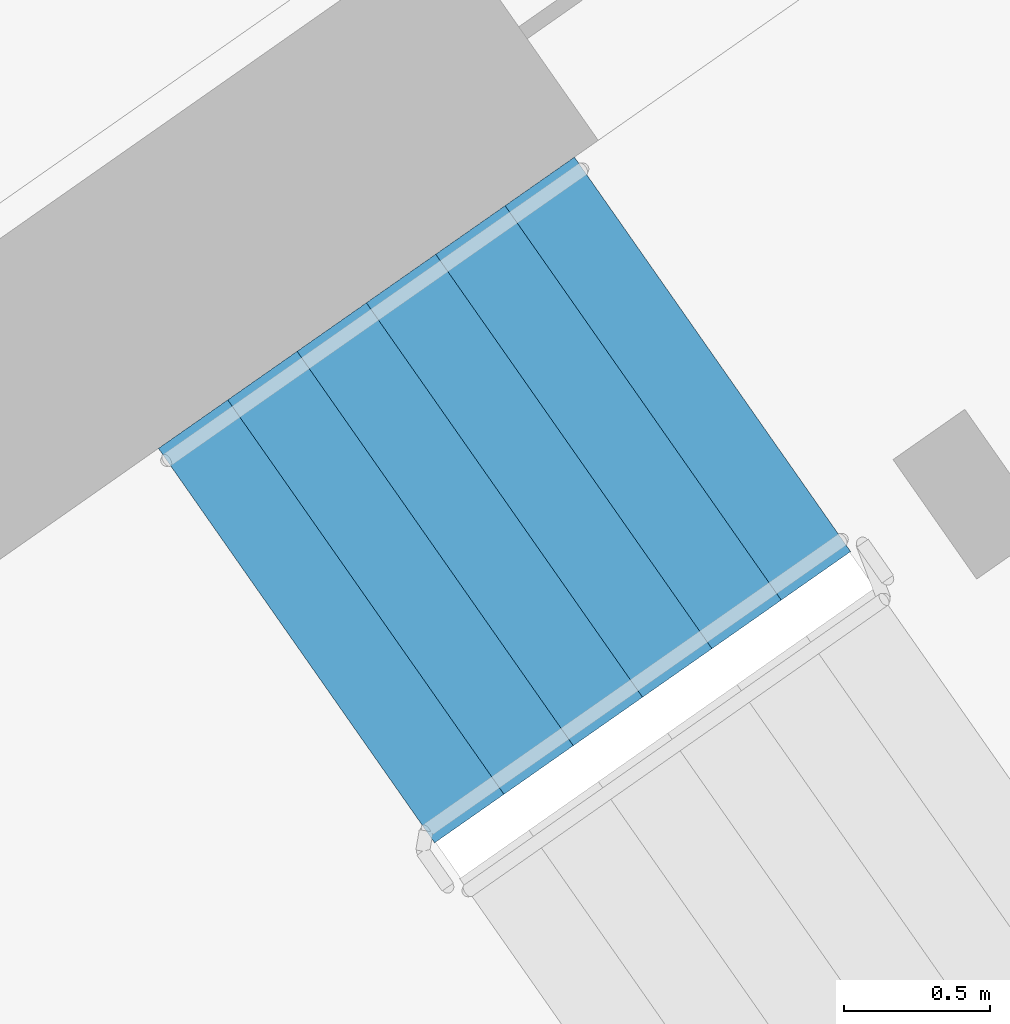
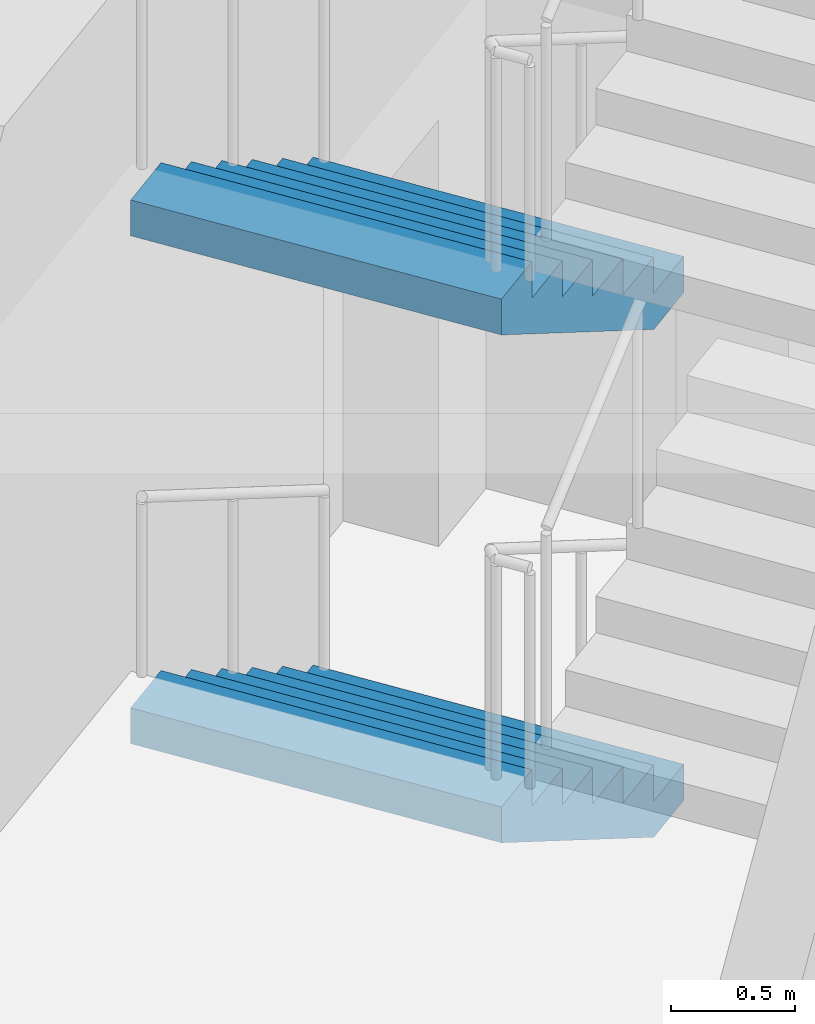
# One storey, part 22 of 25: 2 stair flights, 1 element without a shape of its own.
"""IFC4 building model written with IfcOpenShell, lengths in metres."""

from ifc_helpers import new_model, si_unit, direction, frame, origin, place, context, subcontext, project, spatial, faceted_brep, material, type_object, element, aggregate, save


model = new_model("IFC4")

# Units and contexts
model_context = context("Model", 3, precision=1e-05, world=origin(), true_north=direction((0.0, 1.0)))
body_context = subcontext(model_context, "Body", "Model", "MODEL_VIEW")
ifc_project = project(units=[si_unit("LENGTHUNIT", "METRE"), si_unit("AREAUNIT", "SQUARE_METRE"), si_unit("VOLUMEUNIT", "CUBIC_METRE"), si_unit("PLANEANGLEUNIT", "RADIAN"), si_unit("MASSUNIT", "GRAM", prefix="KILO")], contexts=[model_context])

# Site, building, storey
site_placement = place(None, origin())
site = spatial("IfcSite", under=ifc_project, at=site_placement, CompositionType="ELEMENT")
building_placement = place(site_placement, origin())
building = spatial("IfcBuilding", under=site, at=building_placement, Name="Qamariyya Broadcast Tower", CompositionType="ELEMENT")
storey_placement = place(building_placement, frame((0.0, 0.0, 144.300048828125)))
storey = spatial("IfcBuildingStorey", under=building, at=storey_placement, Name="L33", CompositionType="ELEMENT", Elevation=144.300048828125)

# Stair, stair flights
ifc_material = material(Name="Concrete C50/60", Category="concrete")
stair_type = type_object("IfcStairType", Name="Exit stair 28 risers of 179 mm", PredefinedType="HALF_TURN_STAIR", material=ifc_material)
stair_placement = place(storey_placement, origin())
stair = element("IfcStair", 1, at=stair_placement, inside=storey, type_object=stair_type, Name="L33 Stair E2", PredefinedType="HALF_TURN_STAIR")
stair_flight_type = type_object("IfcStairFlightType", Name="Exit stair flight 7 risers of 179 mm", PredefinedType="STRAIGHT", material=ifc_material)
stair_flight_1_placement = place(storey_placement, frame((40.558837890625, -47.685302734375, 0.0), z_axis=(0.0, 0.0, 1.0), x_axis=(-0.819152044289, -0.573576436351, 0.0)))
stair_flight_1 = element("IfcStairFlight", 2, at=stair_flight_1_placement, type_object=stair_flight_type, Name="ST-E2 flight 1", NumberOfRisers=7, NumberOfTreads=6, PredefinedType="STRAIGHT", RiserHeight=0.178571429, TreadLength=0.29, context=body_context, shape_type="Brep", body=[
    faceted_brep([(0.0, 0.824951171875, 0.0), (0.0, 0.824951171875, 0.178466796875), (0.2900390625, 0.824951171875, 0.178466796875), (0.2900390625, 0.824951171875, 0.357177734375), (0.580078125, 0.824951171875, 0.357177734375), (0.580078125, 0.824951171875, 0.53564453125), (0.8701171875, 0.824951171875, 0.53564453125), (0.8701171875, 0.824951171875, 0.71435546875), (1.159912109375, 0.824951171875, 0.71435546875), (1.159912109375, 0.824951171875, 0.892822265625), (1.449951171875, 0.824951171875, 0.892822265625), (1.449951171875, 0.824951171875, 1.071533203125), (1.739990234375, 0.824951171875, 1.071533203125), (1.739990234375, 0.824951171875, 0.8955078125), (0.285888671875, 0.824951171875, 0.0), (0.285888671875, -0.824951171875, 0.0), (1.739990234375, -0.824951171875, 0.8955078125), (1.739990234375, -0.824951171875, 1.071533203125), (1.449951171875, -0.824951171875, 1.071533203125), (1.449951171875, -0.824951171875, 0.892822265625), (1.159912109375, -0.824951171875, 0.892822265625), (1.159912109375, -0.824951171875, 0.71435546875), (0.8701171875, -0.824951171875, 0.71435546875), (0.8701171875, -0.824951171875, 0.53564453125), (0.580078125, -0.824951171875, 0.53564453125), (0.580078125, -0.824951171875, 0.357177734375), (0.2900390625, -0.824951171875, 0.357177734375), (0.2900390625, -0.824951171875, 0.178466796875), (0.0, -0.824951171875, 0.178466796875), (0.0, -0.824951171875, 0.0), (0.0, 0.10009765625, 0.0), (0.0, 0.086669921875, 0.0), (0.0, 0.0732421875, 0.0), (0.0, 0.06005859375, 0.0), (0.0, 0.046630859375, 0.0), (0.0, 0.033447265625, 0.0), (0.0, 0.02001953125, 0.0), (0.0, 0.006591796875, 0.0), (0.0, -0.006591796875, 0.0), (0.0, -0.02001953125, 0.0), (0.0, -0.033447265625, 0.0), (0.0, -0.046630859375, 0.0), (0.0, -0.06005859375, 0.0), (0.0, -0.0732421875, 0.0), (0.0, -0.086669921875, 0.0), (0.0, -0.10009765625, 0.0), (0.0, -0.10009765625, 0.178466796875), (0.0, -0.086669921875, 0.178466796875), (0.0, -0.0732421875, 0.178466796875), (0.0, -0.06005859375, 0.178466796875), (0.0, -0.046630859375, 0.178466796875), (0.0, -0.033447265625, 0.178466796875), (0.0, -0.02001953125, 0.178466796875), (0.0, -0.006591796875, 0.178466796875), (0.0, 0.006591796875, 0.178466796875), (0.0, 0.02001953125, 0.178466796875), (0.0, 0.033447265625, 0.178466796875), (0.0, 0.046630859375, 0.178466796875), (0.0, 0.06005859375, 0.178466796875), (0.0, 0.0732421875, 0.178466796875), (0.0, 0.086669921875, 0.178466796875), (0.0, 0.10009765625, 0.178466796875), (0.2900390625, -0.10009765625, 0.178466796875), (0.2900390625, -0.086669921875, 0.178466796875), (0.2900390625, -0.0732421875, 0.178466796875), (0.2900390625, -0.06005859375, 0.178466796875), (0.2900390625, -0.046630859375, 0.178466796875), (0.2900390625, -0.033447265625, 0.178466796875), (0.2900390625, -0.02001953125, 0.178466796875), (0.2900390625, -0.006591796875, 0.178466796875), (0.2900390625, 0.006591796875, 0.178466796875), (0.2900390625, 0.02001953125, 0.178466796875), (0.2900390625, 0.033447265625, 0.178466796875), (0.2900390625, 0.046630859375, 0.178466796875), (0.2900390625, 0.06005859375, 0.178466796875), (0.2900390625, 0.0732421875, 0.178466796875), (0.2900390625, 0.086669921875, 0.178466796875), (0.2900390625, 0.10009765625, 0.178466796875), (0.2900390625, -0.10009765625, 0.357177734375), (0.2900390625, -0.086669921875, 0.357177734375), (0.2900390625, -0.0732421875, 0.357177734375), (0.2900390625, -0.06005859375, 0.357177734375), (0.2900390625, -0.046630859375, 0.357177734375), (0.2900390625, -0.033447265625, 0.357177734375), (0.2900390625, -0.02001953125, 0.357177734375), (0.2900390625, -0.006591796875, 0.357177734375), (0.2900390625, 0.006591796875, 0.357177734375), (0.2900390625, 0.02001953125, 0.357177734375), (0.2900390625, 0.033447265625, 0.357177734375), (0.2900390625, 0.046630859375, 0.357177734375), (0.2900390625, 0.06005859375, 0.357177734375), (0.2900390625, 0.0732421875, 0.357177734375), (0.2900390625, 0.086669921875, 0.357177734375), (0.2900390625, 0.10009765625, 0.357177734375), (0.580078125, -0.10009765625, 0.357177734375), (0.580078125, -0.086669921875, 0.357177734375), (0.580078125, -0.0732421875, 0.357177734375), (0.580078125, -0.06005859375, 0.357177734375), (0.580078125, -0.046630859375, 0.357177734375), (0.580078125, -0.033447265625, 0.357177734375), (0.580078125, -0.02001953125, 0.357177734375), (0.580078125, -0.006591796875, 0.357177734375), (0.580078125, 0.006591796875, 0.357177734375), (0.580078125, 0.02001953125, 0.357177734375), (0.580078125, 0.033447265625, 0.357177734375), (0.580078125, 0.046630859375, 0.357177734375), (0.580078125, 0.06005859375, 0.357177734375), (0.580078125, 0.0732421875, 0.357177734375), (0.580078125, 0.086669921875, 0.357177734375), (0.580078125, 0.10009765625, 0.357177734375), (0.580078125, -0.10009765625, 0.53564453125), (0.580078125, -0.086669921875, 0.53564453125), (0.580078125, -0.0732421875, 0.53564453125), (0.580078125, -0.06005859375, 0.53564453125), (0.580078125, -0.046630859375, 0.53564453125), (0.580078125, -0.033447265625, 0.53564453125), (0.580078125, -0.02001953125, 0.53564453125), (0.580078125, -0.006591796875, 0.53564453125), (0.580078125, 0.006591796875, 0.53564453125), (0.580078125, 0.02001953125, 0.53564453125), (0.580078125, 0.033447265625, 0.53564453125), (0.580078125, 0.046630859375, 0.53564453125), (0.580078125, 0.06005859375, 0.53564453125), (0.580078125, 0.0732421875, 0.53564453125), (0.580078125, 0.086669921875, 0.53564453125), (0.580078125, 0.10009765625, 0.53564453125), (0.8701171875, -0.10009765625, 0.53564453125), (0.8701171875, -0.086669921875, 0.53564453125), (0.8701171875, -0.0732421875, 0.53564453125), (0.8701171875, -0.06005859375, 0.53564453125), (0.8701171875, -0.046630859375, 0.53564453125), (0.8701171875, -0.033447265625, 0.53564453125), (0.8701171875, -0.02001953125, 0.53564453125), (0.8701171875, -0.006591796875, 0.53564453125), (0.8701171875, 0.006591796875, 0.53564453125), (0.8701171875, 0.02001953125, 0.53564453125), (0.8701171875, 0.033447265625, 0.53564453125), (0.8701171875, 0.046630859375, 0.53564453125), (0.8701171875, 0.06005859375, 0.53564453125), (0.8701171875, 0.0732421875, 0.53564453125), (0.8701171875, 0.086669921875, 0.53564453125), (0.8701171875, 0.10009765625, 0.53564453125), (0.8701171875, -0.10009765625, 0.71435546875), (0.8701171875, -0.086669921875, 0.71435546875), (0.8701171875, -0.0732421875, 0.71435546875), (0.8701171875, -0.06005859375, 0.71435546875), (0.8701171875, -0.046630859375, 0.71435546875), (0.8701171875, -0.033447265625, 0.71435546875), (0.8701171875, -0.02001953125, 0.71435546875), (0.8701171875, -0.006591796875, 0.71435546875), (0.8701171875, 0.006591796875, 0.71435546875), (0.8701171875, 0.02001953125, 0.71435546875), (0.8701171875, 0.033447265625, 0.71435546875), (0.8701171875, 0.046630859375, 0.71435546875), (0.8701171875, 0.06005859375, 0.71435546875), (0.8701171875, 0.0732421875, 0.71435546875), (0.8701171875, 0.086669921875, 0.71435546875), (0.8701171875, 0.10009765625, 0.71435546875), (1.159912109375, -0.10009765625, 0.71435546875), (1.159912109375, -0.086669921875, 0.71435546875), (1.159912109375, -0.0732421875, 0.71435546875), (1.159912109375, -0.06005859375, 0.71435546875), (1.159912109375, -0.046630859375, 0.71435546875), (1.159912109375, -0.033447265625, 0.71435546875), (1.159912109375, -0.02001953125, 0.71435546875), (1.159912109375, -0.006591796875, 0.71435546875), (1.159912109375, 0.006591796875, 0.71435546875), (1.159912109375, 0.02001953125, 0.71435546875), (1.159912109375, 0.033447265625, 0.71435546875), (1.159912109375, 0.046630859375, 0.71435546875), (1.159912109375, 0.06005859375, 0.71435546875), (1.159912109375, 0.0732421875, 0.71435546875), (1.159912109375, 0.086669921875, 0.71435546875), (1.159912109375, 0.10009765625, 0.71435546875), (1.159912109375, -0.10009765625, 0.892822265625), (1.159912109375, -0.086669921875, 0.892822265625), (1.159912109375, -0.0732421875, 0.892822265625), (1.159912109375, -0.06005859375, 0.892822265625), (1.159912109375, -0.046630859375, 0.892822265625), (1.159912109375, -0.033447265625, 0.892822265625), (1.159912109375, -0.02001953125, 0.892822265625), (1.159912109375, -0.006591796875, 0.892822265625), (1.159912109375, 0.006591796875, 0.892822265625), (1.159912109375, 0.02001953125, 0.892822265625), (1.159912109375, 0.033447265625, 0.892822265625), (1.159912109375, 0.046630859375, 0.892822265625), (1.159912109375, 0.06005859375, 0.892822265625), (1.159912109375, 0.0732421875, 0.892822265625), (1.159912109375, 0.086669921875, 0.892822265625), (1.159912109375, 0.10009765625, 0.892822265625), (1.449951171875, -0.10009765625, 0.892822265625), (1.449951171875, -0.086669921875, 0.892822265625), (1.449951171875, -0.0732421875, 0.892822265625), (1.449951171875, -0.06005859375, 0.892822265625), (1.449951171875, -0.046630859375, 0.892822265625), (1.449951171875, -0.033447265625, 0.892822265625), (1.449951171875, -0.02001953125, 0.892822265625), (1.449951171875, -0.006591796875, 0.892822265625), (1.449951171875, 0.006591796875, 0.892822265625), (1.449951171875, 0.02001953125, 0.892822265625), (1.449951171875, 0.033447265625, 0.892822265625), (1.449951171875, 0.046630859375, 0.892822265625), (1.449951171875, 0.06005859375, 0.892822265625), (1.449951171875, 0.0732421875, 0.892822265625), (1.449951171875, 0.086669921875, 0.892822265625), (1.449951171875, 0.10009765625, 0.892822265625), (1.449951171875, -0.10009765625, 1.071533203125), (1.449951171875, -0.086669921875, 1.071533203125), (1.449951171875, -0.0732421875, 1.071533203125), (1.449951171875, -0.06005859375, 1.071533203125), (1.449951171875, -0.046630859375, 1.071533203125), (1.449951171875, -0.033447265625, 1.071533203125), (1.449951171875, -0.02001953125, 1.071533203125), (1.449951171875, -0.006591796875, 1.071533203125), (1.449951171875, 0.006591796875, 1.071533203125), (1.449951171875, 0.02001953125, 1.071533203125), (1.449951171875, 0.033447265625, 1.071533203125), (1.449951171875, 0.046630859375, 1.071533203125), (1.449951171875, 0.06005859375, 1.071533203125), (1.449951171875, 0.0732421875, 1.071533203125), (1.449951171875, 0.086669921875, 1.071533203125), (1.449951171875, 0.10009765625, 1.071533203125), (1.739990234375, -0.10009765625, 1.071533203125), (1.739990234375, -0.086669921875, 1.071533203125), (1.739990234375, -0.0732421875, 1.071533203125), (1.739990234375, -0.06005859375, 1.071533203125), (1.739990234375, -0.046630859375, 1.071533203125), (1.739990234375, -0.033447265625, 1.071533203125), (1.739990234375, -0.02001953125, 1.071533203125), (1.739990234375, -0.006591796875, 1.071533203125), (1.739990234375, 0.006591796875, 1.071533203125), (1.739990234375, 0.02001953125, 1.071533203125), (1.739990234375, 0.033447265625, 1.071533203125), (1.739990234375, 0.046630859375, 1.071533203125), (1.739990234375, 0.06005859375, 1.071533203125), (1.739990234375, 0.0732421875, 1.071533203125), (1.739990234375, 0.086669921875, 1.071533203125), (1.739990234375, 0.10009765625, 1.071533203125), (1.739990234375, -0.10009765625, 0.8955078125), (1.739990234375, -0.086669921875, 0.8955078125), (1.739990234375, -0.0732421875, 0.8955078125), (1.739990234375, -0.06005859375, 0.8955078125), (1.739990234375, -0.046630859375, 0.8955078125), (1.739990234375, -0.033447265625, 0.8955078125), (1.739990234375, -0.02001953125, 0.8955078125), (1.739990234375, -0.006591796875, 0.8955078125), (1.739990234375, 0.006591796875, 0.8955078125), (1.739990234375, 0.02001953125, 0.8955078125), (1.739990234375, 0.033447265625, 0.8955078125), (1.739990234375, 0.046630859375, 0.8955078125), (1.739990234375, 0.06005859375, 0.8955078125), (1.739990234375, 0.0732421875, 0.8955078125), (1.739990234375, 0.086669921875, 0.8955078125), (1.739990234375, 0.10009765625, 0.8955078125), (0.285888671875, -0.10009765625, 0.0), (0.285888671875, -0.086669921875, 0.0), (0.285888671875, -0.0732421875, 0.0), (0.285888671875, -0.06005859375, 0.0), (0.285888671875, -0.046630859375, 0.0), (0.285888671875, -0.033447265625, 0.0), (0.285888671875, -0.02001953125, 0.0), (0.285888671875, -0.006591796875, 0.0), (0.285888671875, 0.006591796875, 0.0), (0.285888671875, 0.02001953125, 0.0), (0.285888671875, 0.033447265625, 0.0), (0.285888671875, 0.046630859375, 0.0), (0.285888671875, 0.06005859375, 0.0), (0.285888671875, 0.0732421875, 0.0), (0.285888671875, 0.086669921875, 0.0), (0.285888671875, 0.10009765625, 0.0)], [[[0, 1, 2, 3, 4, 5, 6, 7, 8, 9, 10, 11, 12, 13, 14]], [[15, 16, 17, 18, 19, 20, 21, 22, 23, 24, 25, 26, 27, 28, 29]], [[0, 30, 31, 32, 33, 34, 35, 36, 37, 38, 39, 40, 41, 42, 43, 44, 45, 29, 28, 46, 47, 48, 49, 50, 51, 52, 53, 54, 55, 56, 57, 58, 59, 60, 61, 1]], [[1, 61, 60, 59, 58, 57, 56, 55, 54, 53, 52, 51, 50, 49, 48, 47, 46, 28, 27, 62, 63, 64, 65, 66, 67, 68, 69, 70, 71, 72, 73, 74, 75, 76, 77, 2]], [[2, 77, 76, 75, 74, 73, 72, 71, 70, 69, 68, 67, 66, 65, 64, 63, 62, 27, 26, 78, 79, 80, 81, 82, 83, 84, 85, 86, 87, 88, 89, 90, 91, 92, 93, 3]], [[3, 93, 92, 91, 90, 89, 88, 87, 86, 85, 84, 83, 82, 81, 80, 79, 78, 26, 25, 94, 95, 96, 97, 98, 99, 100, 101, 102, 103, 104, 105, 106, 107, 108, 109, 4]], [[4, 109, 108, 107, 106, 105, 104, 103, 102, 101, 100, 99, 98, 97, 96, 95, 94, 25, 24, 110, 111, 112, 113, 114, 115, 116, 117, 118, 119, 120, 121, 122, 123, 124, 125, 5]], [[5, 125, 124, 123, 122, 121, 120, 119, 118, 117, 116, 115, 114, 113, 112, 111, 110, 24, 23, 126, 127, 128, 129, 130, 131, 132, 133, 134, 135, 136, 137, 138, 139, 140, 141, 6]], [[6, 141, 140, 139, 138, 137, 136, 135, 134, 133, 132, 131, 130, 129, 128, 127, 126, 23, 22, 142, 143, 144, 145, 146, 147, 148, 149, 150, 151, 152, 153, 154, 155, 156, 157, 7]], [[7, 157, 156, 155, 154, 153, 152, 151, 150, 149, 148, 147, 146, 145, 144, 143, 142, 22, 21, 158, 159, 160, 161, 162, 163, 164, 165, 166, 167, 168, 169, 170, 171, 172, 173, 8]], [[8, 173, 172, 171, 170, 169, 168, 167, 166, 165, 164, 163, 162, 161, 160, 159, 158, 21, 20, 174, 175, 176, 177, 178, 179, 180, 181, 182, 183, 184, 185, 186, 187, 188, 189, 9]], [[9, 189, 188, 187, 186, 185, 184, 183, 182, 181, 180, 179, 178, 177, 176, 175, 174, 20, 19, 190, 191, 192, 193, 194, 195, 196, 197, 198, 199, 200, 201, 202, 203, 204, 205, 10]], [[10, 205, 204, 203, 202, 201, 200, 199, 198, 197, 196, 195, 194, 193, 192, 191, 190, 19, 18, 206, 207, 208, 209, 210, 211, 212, 213, 214, 215, 216, 217, 218, 219, 220, 221, 11]], [[11, 221, 220, 219, 218, 217, 216, 215, 214, 213, 212, 211, 210, 209, 208, 207, 206, 18, 17, 222, 223, 224, 225, 226, 227, 228, 229, 230, 231, 232, 233, 234, 235, 236, 237, 12]], [[12, 237, 236, 235, 234, 233, 232, 231, 230, 229, 228, 227, 226, 225, 224, 223, 222, 17, 16, 238, 239, 240, 241, 242, 243, 244, 245, 246, 247, 248, 249, 250, 251, 252, 253, 13]], [[13, 253, 252, 251, 250, 249, 248, 247, 246, 245, 244, 243, 242, 241, 240, 239, 238, 16, 15, 254, 255, 256, 257, 258, 259, 260, 261, 262, 263, 264, 265, 266, 267, 268, 269, 14]], [[14, 269, 268, 267, 266, 265, 264, 263, 262, 261, 260, 259, 258, 257, 256, 255, 254, 15, 29, 45, 44, 43, 42, 41, 40, 39, 38, 37, 36, 35, 34, 33, 32, 31, 30, 0]]]),
])
stair_flight_2_placement = place(storey_placement, frame((40.558837890625, -47.685302734375, 2.5), z_axis=(0.0, 0.0, 1.0), x_axis=(-0.819152044289, -0.573576436351, 0.0)))
stair_flight_2 = element("IfcStairFlight", 3, at=stair_flight_2_placement, type_object=stair_flight_type, Name="ST-E2 flight 3", NumberOfRisers=7, NumberOfTreads=6, PredefinedType="STRAIGHT", RiserHeight=0.178571429, TreadLength=0.29, context=body_context, shape_type="Brep", body=[
    faceted_brep([(0.0, 0.824951171875, 0.0), (0.0, 0.824951171875, 0.178466796875), (0.2900390625, 0.824951171875, 0.178466796875), (0.2900390625, 0.824951171875, 0.357177734375), (0.580078125, 0.824951171875, 0.357177734375), (0.580078125, 0.824951171875, 0.53564453125), (0.8701171875, 0.824951171875, 0.53564453125), (0.8701171875, 0.824951171875, 0.71435546875), (1.159912109375, 0.824951171875, 0.71435546875), (1.159912109375, 0.824951171875, 0.892822265625), (1.449951171875, 0.824951171875, 0.892822265625), (1.449951171875, 0.824951171875, 1.071533203125), (1.739990234375, 0.824951171875, 1.071533203125), (1.739990234375, 0.824951171875, 0.8955078125), (0.285888671875, 0.824951171875, 0.0), (0.285888671875, -0.824951171875, 0.0), (1.739990234375, -0.824951171875, 0.8955078125), (1.739990234375, -0.824951171875, 1.071533203125), (1.449951171875, -0.824951171875, 1.071533203125), (1.449951171875, -0.824951171875, 0.892822265625), (1.159912109375, -0.824951171875, 0.892822265625), (1.159912109375, -0.824951171875, 0.71435546875), (0.8701171875, -0.824951171875, 0.71435546875), (0.8701171875, -0.824951171875, 0.53564453125), (0.580078125, -0.824951171875, 0.53564453125), (0.580078125, -0.824951171875, 0.357177734375), (0.2900390625, -0.824951171875, 0.357177734375), (0.2900390625, -0.824951171875, 0.178466796875), (0.0, -0.824951171875, 0.178466796875), (0.0, -0.824951171875, 0.0), (0.0, 0.10009765625, 0.0), (0.0, 0.086669921875, 0.0), (0.0, 0.0732421875, 0.0), (0.0, 0.06005859375, 0.0), (0.0, 0.046630859375, 0.0), (0.0, 0.033447265625, 0.0), (0.0, 0.02001953125, 0.0), (0.0, 0.006591796875, 0.0), (0.0, -0.006591796875, 0.0), (0.0, -0.02001953125, 0.0), (0.0, -0.033447265625, 0.0), (0.0, -0.046630859375, 0.0), (0.0, -0.06005859375, 0.0), (0.0, -0.0732421875, 0.0), (0.0, -0.086669921875, 0.0), (0.0, -0.10009765625, 0.0), (0.0, -0.10009765625, 0.178466796875), (0.0, -0.086669921875, 0.178466796875), (0.0, -0.0732421875, 0.178466796875), (0.0, -0.06005859375, 0.178466796875), (0.0, -0.046630859375, 0.178466796875), (0.0, -0.033447265625, 0.178466796875), (0.0, -0.02001953125, 0.178466796875), (0.0, -0.006591796875, 0.178466796875), (0.0, 0.006591796875, 0.178466796875), (0.0, 0.02001953125, 0.178466796875), (0.0, 0.033447265625, 0.178466796875), (0.0, 0.046630859375, 0.178466796875), (0.0, 0.06005859375, 0.178466796875), (0.0, 0.0732421875, 0.178466796875), (0.0, 0.086669921875, 0.178466796875), (0.0, 0.10009765625, 0.178466796875), (0.2900390625, -0.10009765625, 0.178466796875), (0.2900390625, -0.086669921875, 0.178466796875), (0.2900390625, -0.0732421875, 0.178466796875), (0.2900390625, -0.06005859375, 0.178466796875), (0.2900390625, -0.046630859375, 0.178466796875), (0.2900390625, -0.033447265625, 0.178466796875), (0.2900390625, -0.02001953125, 0.178466796875), (0.2900390625, -0.006591796875, 0.178466796875), (0.2900390625, 0.006591796875, 0.178466796875), (0.2900390625, 0.02001953125, 0.178466796875), (0.2900390625, 0.033447265625, 0.178466796875), (0.2900390625, 0.046630859375, 0.178466796875), (0.2900390625, 0.06005859375, 0.178466796875), (0.2900390625, 0.0732421875, 0.178466796875), (0.2900390625, 0.086669921875, 0.178466796875), (0.2900390625, 0.10009765625, 0.178466796875), (0.2900390625, -0.10009765625, 0.357177734375), (0.2900390625, -0.086669921875, 0.357177734375), (0.2900390625, -0.0732421875, 0.357177734375), (0.2900390625, -0.06005859375, 0.357177734375), (0.2900390625, -0.046630859375, 0.357177734375), (0.2900390625, -0.033447265625, 0.357177734375), (0.2900390625, -0.02001953125, 0.357177734375), (0.2900390625, -0.006591796875, 0.357177734375), (0.2900390625, 0.006591796875, 0.357177734375), (0.2900390625, 0.02001953125, 0.357177734375), (0.2900390625, 0.033447265625, 0.357177734375), (0.2900390625, 0.046630859375, 0.357177734375), (0.2900390625, 0.06005859375, 0.357177734375), (0.2900390625, 0.0732421875, 0.357177734375), (0.2900390625, 0.086669921875, 0.357177734375), (0.2900390625, 0.10009765625, 0.357177734375), (0.580078125, -0.10009765625, 0.357177734375), (0.580078125, -0.086669921875, 0.357177734375), (0.580078125, -0.0732421875, 0.357177734375), (0.580078125, -0.06005859375, 0.357177734375), (0.580078125, -0.046630859375, 0.357177734375), (0.580078125, -0.033447265625, 0.357177734375), (0.580078125, -0.02001953125, 0.357177734375), (0.580078125, -0.006591796875, 0.357177734375), (0.580078125, 0.006591796875, 0.357177734375), (0.580078125, 0.02001953125, 0.357177734375), (0.580078125, 0.033447265625, 0.357177734375), (0.580078125, 0.046630859375, 0.357177734375), (0.580078125, 0.06005859375, 0.357177734375), (0.580078125, 0.0732421875, 0.357177734375), (0.580078125, 0.086669921875, 0.357177734375), (0.580078125, 0.10009765625, 0.357177734375), (0.580078125, -0.10009765625, 0.53564453125), (0.580078125, -0.086669921875, 0.53564453125), (0.580078125, -0.0732421875, 0.53564453125), (0.580078125, -0.06005859375, 0.53564453125), (0.580078125, -0.046630859375, 0.53564453125), (0.580078125, -0.033447265625, 0.53564453125), (0.580078125, -0.02001953125, 0.53564453125), (0.580078125, -0.006591796875, 0.53564453125), (0.580078125, 0.006591796875, 0.53564453125), (0.580078125, 0.02001953125, 0.53564453125), (0.580078125, 0.033447265625, 0.53564453125), (0.580078125, 0.046630859375, 0.53564453125), (0.580078125, 0.06005859375, 0.53564453125), (0.580078125, 0.0732421875, 0.53564453125), (0.580078125, 0.086669921875, 0.53564453125), (0.580078125, 0.10009765625, 0.53564453125), (0.8701171875, -0.10009765625, 0.53564453125), (0.8701171875, -0.086669921875, 0.53564453125), (0.8701171875, -0.0732421875, 0.53564453125), (0.8701171875, -0.06005859375, 0.53564453125), (0.8701171875, -0.046630859375, 0.53564453125), (0.8701171875, -0.033447265625, 0.53564453125), (0.8701171875, -0.02001953125, 0.53564453125), (0.8701171875, -0.006591796875, 0.53564453125), (0.8701171875, 0.006591796875, 0.53564453125), (0.8701171875, 0.02001953125, 0.53564453125), (0.8701171875, 0.033447265625, 0.53564453125), (0.8701171875, 0.046630859375, 0.53564453125), (0.8701171875, 0.06005859375, 0.53564453125), (0.8701171875, 0.0732421875, 0.53564453125), (0.8701171875, 0.086669921875, 0.53564453125), (0.8701171875, 0.10009765625, 0.53564453125), (0.8701171875, -0.10009765625, 0.71435546875), (0.8701171875, -0.086669921875, 0.71435546875), (0.8701171875, -0.0732421875, 0.71435546875), (0.8701171875, -0.06005859375, 0.71435546875), (0.8701171875, -0.046630859375, 0.71435546875), (0.8701171875, -0.033447265625, 0.71435546875), (0.8701171875, -0.02001953125, 0.71435546875), (0.8701171875, -0.006591796875, 0.71435546875), (0.8701171875, 0.006591796875, 0.71435546875), (0.8701171875, 0.02001953125, 0.71435546875), (0.8701171875, 0.033447265625, 0.71435546875), (0.8701171875, 0.046630859375, 0.71435546875), (0.8701171875, 0.06005859375, 0.71435546875), (0.8701171875, 0.0732421875, 0.71435546875), (0.8701171875, 0.086669921875, 0.71435546875), (0.8701171875, 0.10009765625, 0.71435546875), (1.159912109375, -0.10009765625, 0.71435546875), (1.159912109375, -0.086669921875, 0.71435546875), (1.159912109375, -0.0732421875, 0.71435546875), (1.159912109375, -0.06005859375, 0.71435546875), (1.159912109375, -0.046630859375, 0.71435546875), (1.159912109375, -0.033447265625, 0.71435546875), (1.159912109375, -0.02001953125, 0.71435546875), (1.159912109375, -0.006591796875, 0.71435546875), (1.159912109375, 0.006591796875, 0.71435546875), (1.159912109375, 0.02001953125, 0.71435546875), (1.159912109375, 0.033447265625, 0.71435546875), (1.159912109375, 0.046630859375, 0.71435546875), (1.159912109375, 0.06005859375, 0.71435546875), (1.159912109375, 0.0732421875, 0.71435546875), (1.159912109375, 0.086669921875, 0.71435546875), (1.159912109375, 0.10009765625, 0.71435546875), (1.159912109375, -0.10009765625, 0.892822265625), (1.159912109375, -0.086669921875, 0.892822265625), (1.159912109375, -0.0732421875, 0.892822265625), (1.159912109375, -0.06005859375, 0.892822265625), (1.159912109375, -0.046630859375, 0.892822265625), (1.159912109375, -0.033447265625, 0.892822265625), (1.159912109375, -0.02001953125, 0.892822265625), (1.159912109375, -0.006591796875, 0.892822265625), (1.159912109375, 0.006591796875, 0.892822265625), (1.159912109375, 0.02001953125, 0.892822265625), (1.159912109375, 0.033447265625, 0.892822265625), (1.159912109375, 0.046630859375, 0.892822265625), (1.159912109375, 0.06005859375, 0.892822265625), (1.159912109375, 0.0732421875, 0.892822265625), (1.159912109375, 0.086669921875, 0.892822265625), (1.159912109375, 0.10009765625, 0.892822265625), (1.449951171875, -0.10009765625, 0.892822265625), (1.449951171875, -0.086669921875, 0.892822265625), (1.449951171875, -0.0732421875, 0.892822265625), (1.449951171875, -0.06005859375, 0.892822265625), (1.449951171875, -0.046630859375, 0.892822265625), (1.449951171875, -0.033447265625, 0.892822265625), (1.449951171875, -0.02001953125, 0.892822265625), (1.449951171875, -0.006591796875, 0.892822265625), (1.449951171875, 0.006591796875, 0.892822265625), (1.449951171875, 0.02001953125, 0.892822265625), (1.449951171875, 0.033447265625, 0.892822265625), (1.449951171875, 0.046630859375, 0.892822265625), (1.449951171875, 0.06005859375, 0.892822265625), (1.449951171875, 0.0732421875, 0.892822265625), (1.449951171875, 0.086669921875, 0.892822265625), (1.449951171875, 0.10009765625, 0.892822265625), (1.449951171875, -0.10009765625, 1.071533203125), (1.449951171875, -0.086669921875, 1.071533203125), (1.449951171875, -0.0732421875, 1.071533203125), (1.449951171875, -0.06005859375, 1.071533203125), (1.449951171875, -0.046630859375, 1.071533203125), (1.449951171875, -0.033447265625, 1.071533203125), (1.449951171875, -0.02001953125, 1.071533203125), (1.449951171875, -0.006591796875, 1.071533203125), (1.449951171875, 0.006591796875, 1.071533203125), (1.449951171875, 0.02001953125, 1.071533203125), (1.449951171875, 0.033447265625, 1.071533203125), (1.449951171875, 0.046630859375, 1.071533203125), (1.449951171875, 0.06005859375, 1.071533203125), (1.449951171875, 0.0732421875, 1.071533203125), (1.449951171875, 0.086669921875, 1.071533203125), (1.449951171875, 0.10009765625, 1.071533203125), (1.739990234375, -0.10009765625, 1.071533203125), (1.739990234375, -0.086669921875, 1.071533203125), (1.739990234375, -0.0732421875, 1.071533203125), (1.739990234375, -0.06005859375, 1.071533203125), (1.739990234375, -0.046630859375, 1.071533203125), (1.739990234375, -0.033447265625, 1.071533203125), (1.739990234375, -0.02001953125, 1.071533203125), (1.739990234375, -0.006591796875, 1.071533203125), (1.739990234375, 0.006591796875, 1.071533203125), (1.739990234375, 0.02001953125, 1.071533203125), (1.739990234375, 0.033447265625, 1.071533203125), (1.739990234375, 0.046630859375, 1.071533203125), (1.739990234375, 0.06005859375, 1.071533203125), (1.739990234375, 0.0732421875, 1.071533203125), (1.739990234375, 0.086669921875, 1.071533203125), (1.739990234375, 0.10009765625, 1.071533203125), (1.739990234375, -0.10009765625, 0.8955078125), (1.739990234375, -0.086669921875, 0.8955078125), (1.739990234375, -0.0732421875, 0.8955078125), (1.739990234375, -0.06005859375, 0.8955078125), (1.739990234375, -0.046630859375, 0.8955078125), (1.739990234375, -0.033447265625, 0.8955078125), (1.739990234375, -0.02001953125, 0.8955078125), (1.739990234375, -0.006591796875, 0.8955078125), (1.739990234375, 0.006591796875, 0.8955078125), (1.739990234375, 0.02001953125, 0.8955078125), (1.739990234375, 0.033447265625, 0.8955078125), (1.739990234375, 0.046630859375, 0.8955078125), (1.739990234375, 0.06005859375, 0.8955078125), (1.739990234375, 0.0732421875, 0.8955078125), (1.739990234375, 0.086669921875, 0.8955078125), (1.739990234375, 0.10009765625, 0.8955078125), (0.285888671875, -0.10009765625, 0.0), (0.285888671875, -0.086669921875, 0.0), (0.285888671875, -0.0732421875, 0.0), (0.285888671875, -0.06005859375, 0.0), (0.285888671875, -0.046630859375, 0.0), (0.285888671875, -0.033447265625, 0.0), (0.285888671875, -0.02001953125, 0.0), (0.285888671875, -0.006591796875, 0.0), (0.285888671875, 0.006591796875, 0.0), (0.285888671875, 0.02001953125, 0.0), (0.285888671875, 0.033447265625, 0.0), (0.285888671875, 0.046630859375, 0.0), (0.285888671875, 0.06005859375, 0.0), (0.285888671875, 0.0732421875, 0.0), (0.285888671875, 0.086669921875, 0.0), (0.285888671875, 0.10009765625, 0.0)], [[[0, 1, 2, 3, 4, 5, 6, 7, 8, 9, 10, 11, 12, 13, 14]], [[15, 16, 17, 18, 19, 20, 21, 22, 23, 24, 25, 26, 27, 28, 29]], [[0, 30, 31, 32, 33, 34, 35, 36, 37, 38, 39, 40, 41, 42, 43, 44, 45, 29, 28, 46, 47, 48, 49, 50, 51, 52, 53, 54, 55, 56, 57, 58, 59, 60, 61, 1]], [[1, 61, 60, 59, 58, 57, 56, 55, 54, 53, 52, 51, 50, 49, 48, 47, 46, 28, 27, 62, 63, 64, 65, 66, 67, 68, 69, 70, 71, 72, 73, 74, 75, 76, 77, 2]], [[2, 77, 76, 75, 74, 73, 72, 71, 70, 69, 68, 67, 66, 65, 64, 63, 62, 27, 26, 78, 79, 80, 81, 82, 83, 84, 85, 86, 87, 88, 89, 90, 91, 92, 93, 3]], [[3, 93, 92, 91, 90, 89, 88, 87, 86, 85, 84, 83, 82, 81, 80, 79, 78, 26, 25, 94, 95, 96, 97, 98, 99, 100, 101, 102, 103, 104, 105, 106, 107, 108, 109, 4]], [[4, 109, 108, 107, 106, 105, 104, 103, 102, 101, 100, 99, 98, 97, 96, 95, 94, 25, 24, 110, 111, 112, 113, 114, 115, 116, 117, 118, 119, 120, 121, 122, 123, 124, 125, 5]], [[5, 125, 124, 123, 122, 121, 120, 119, 118, 117, 116, 115, 114, 113, 112, 111, 110, 24, 23, 126, 127, 128, 129, 130, 131, 132, 133, 134, 135, 136, 137, 138, 139, 140, 141, 6]], [[6, 141, 140, 139, 138, 137, 136, 135, 134, 133, 132, 131, 130, 129, 128, 127, 126, 23, 22, 142, 143, 144, 145, 146, 147, 148, 149, 150, 151, 152, 153, 154, 155, 156, 157, 7]], [[7, 157, 156, 155, 154, 153, 152, 151, 150, 149, 148, 147, 146, 145, 144, 143, 142, 22, 21, 158, 159, 160, 161, 162, 163, 164, 165, 166, 167, 168, 169, 170, 171, 172, 173, 8]], [[8, 173, 172, 171, 170, 169, 168, 167, 166, 165, 164, 163, 162, 161, 160, 159, 158, 21, 20, 174, 175, 176, 177, 178, 179, 180, 181, 182, 183, 184, 185, 186, 187, 188, 189, 9]], [[9, 189, 188, 187, 186, 185, 184, 183, 182, 181, 180, 179, 178, 177, 176, 175, 174, 20, 19, 190, 191, 192, 193, 194, 195, 196, 197, 198, 199, 200, 201, 202, 203, 204, 205, 10]], [[10, 205, 204, 203, 202, 201, 200, 199, 198, 197, 196, 195, 194, 193, 192, 191, 190, 19, 18, 206, 207, 208, 209, 210, 211, 212, 213, 214, 215, 216, 217, 218, 219, 220, 221, 11]], [[11, 221, 220, 219, 218, 217, 216, 215, 214, 213, 212, 211, 210, 209, 208, 207, 206, 18, 17, 222, 223, 224, 225, 226, 227, 228, 229, 230, 231, 232, 233, 234, 235, 236, 237, 12]], [[12, 237, 236, 235, 234, 233, 232, 231, 230, 229, 228, 227, 226, 225, 224, 223, 222, 17, 16, 238, 239, 240, 241, 242, 243, 244, 245, 246, 247, 248, 249, 250, 251, 252, 253, 13]], [[13, 253, 252, 251, 250, 249, 248, 247, 246, 245, 244, 243, 242, 241, 240, 239, 238, 16, 15, 254, 255, 256, 257, 258, 259, 260, 261, 262, 263, 264, 265, 266, 267, 268, 269, 14]], [[14, 269, 268, 267, 266, 265, 264, 263, 262, 261, 260, 259, 258, 257, 256, 255, 254, 15, 29, 45, 44, 43, 42, 41, 40, 39, 38, 37, 36, 35, 34, 33, 32, 31, 30, 0]]]),
])
aggregate(stair, [stair_flight_1, stair_flight_2])

save(model, "model.ifc")
